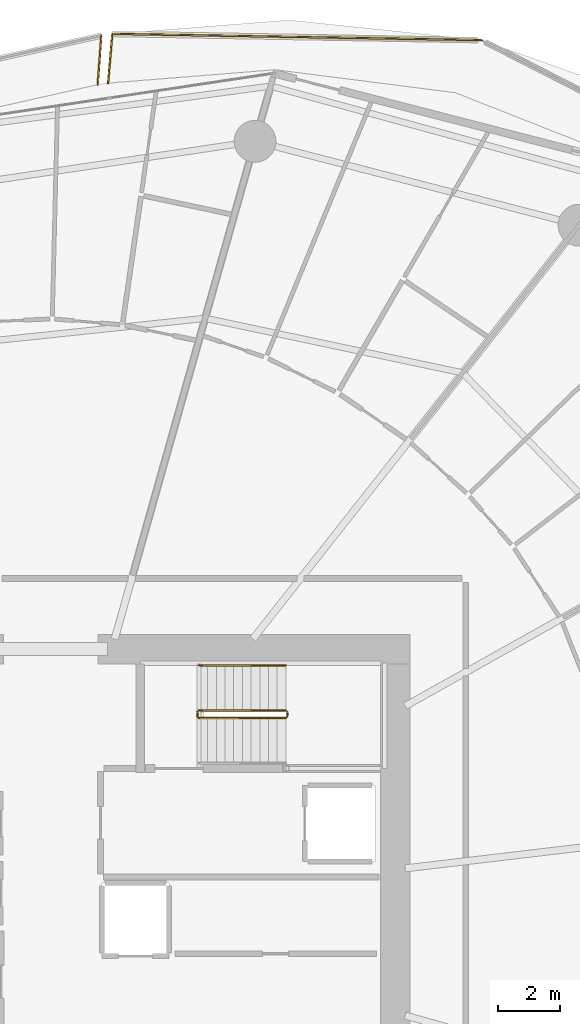
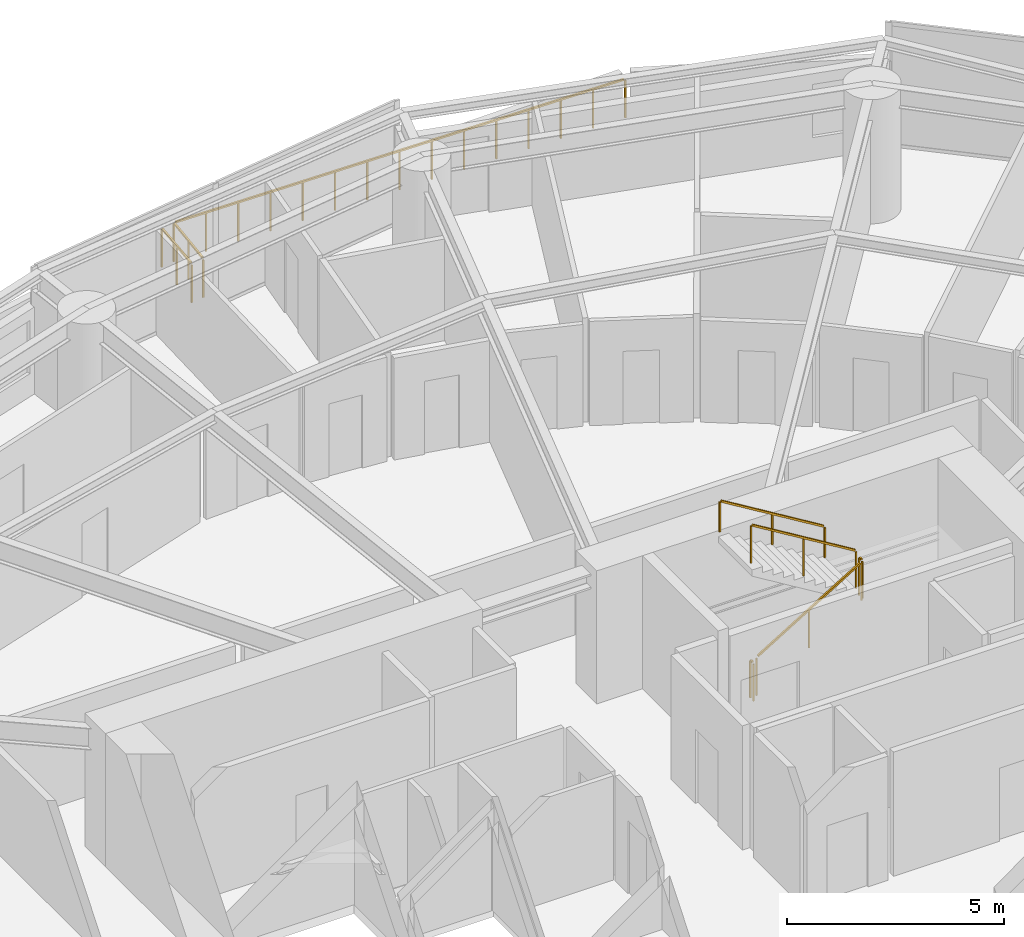
# One storey, part 30 of 31: 8 railings.
"""IFC4 building model written with IfcOpenShell, lengths in metres."""

from ifc_helpers import new_model, si_unit, direction, frame, origin, origin_2d, place, context, subcontext, project, spatial, rectangle, extrude, material, type_object, element, save


model = new_model("IFC4")

# Units and contexts
model_context = context("Model", 3, precision=1e-05, world=origin(), true_north=direction((0.0, 1.0)))
body_context = subcontext(model_context, "Body", "Model", "MODEL_VIEW")
ifc_project = project(units=[si_unit("LENGTHUNIT", "METRE"), si_unit("AREAUNIT", "SQUARE_METRE"), si_unit("VOLUMEUNIT", "CUBIC_METRE"), si_unit("PLANEANGLEUNIT", "RADIAN"), si_unit("MASSUNIT", "GRAM", prefix="KILO")], contexts=[model_context])

# Site, building, storey
site_placement = place(None, origin())
site = spatial("IfcSite", under=ifc_project, at=site_placement, CompositionType="ELEMENT")
building_placement = place(site_placement, origin())
building = spatial("IfcBuilding", under=site, at=building_placement, Name="Kazma Halo Residences", CompositionType="ELEMENT")
storey_placement = place(building_placement, frame((0.0, 0.0, 48.89990234375)))
storey = spatial("IfcBuildingStorey", under=building, at=storey_placement, Name="L11", CompositionType="ELEMENT", Elevation=48.89990234375)

# Railings
ifc_material_1 = material(Name="Aluminium AW-6063 T6 Brushed Cap Rail", Category="aluminium")
railing_type_1 = type_object("IfcRailingType", Name="RLG-BAL-CAP-1120", PredefinedType="BALUSTRADE", material=ifc_material_1)
railing_1_placement = place(storey_placement, frame((62.323974609375, 70.1123046875, 0.0)))
element("IfcRailing", 1, at=railing_1_placement, inside=storey, type_object=railing_type_1, Name="L11 NE wave balcony guard 3", PredefinedType="BALUSTRADE", context=body_context, shape_type="SweptSolid", body=[
    extrude(rectangle(XDim=0.050048828125, YDim=0.050048828125, at=origin_2d()), frame((-0.04248046875, 0.000732421875, 1.09521484375), z_axis=(-0.99985591733, 0.016974821943, 0.0), x_axis=(-0.016974821943, -0.99985591733, 0.0)), (0.0, 0.0, 1.0), 11.838134765625),
    extrude(rectangle(XDim=0.0400390625, YDim=0.0400390625, at=origin_2d()), origin(), (0.0, 0.0, 1.0), 1.05810546875),
    extrude(rectangle(XDim=0.0400390625, YDim=0.0400390625, at=origin_2d()), frame((-0.8515625, 0.014404296875, 0.0)), (0.0, 0.0, 1.0), 1.05810546875),
    extrude(rectangle(XDim=0.0400390625, YDim=0.0400390625, at=origin_2d()), frame((-1.703125, 0.02880859375, 0.0)), (0.0, 0.0, 1.0), 1.05810546875),
    extrude(rectangle(XDim=0.0400390625, YDim=0.0400390625, at=origin_2d()), frame((-2.5546875, 0.04345703125, 0.0)), (0.0, 0.0, 1.0), 1.05810546875),
    extrude(rectangle(XDim=0.0400390625, YDim=0.0400390625, at=origin_2d()), frame((-3.406005859375, 0.057861328125, 0.0)), (0.0, 0.0, 1.0), 1.05810546875),
    extrude(rectangle(XDim=0.0400390625, YDim=0.0400390625, at=origin_2d()), frame((-4.257568359375, 0.072265625, 0.0)), (0.0, 0.0, 1.0), 1.05810546875),
    extrude(rectangle(XDim=0.0400390625, YDim=0.0400390625, at=origin_2d()), frame((-5.109130859375, 0.086669921875, 0.0)), (0.0, 0.0, 1.0), 1.05810546875),
    extrude(rectangle(XDim=0.0400390625, YDim=0.0400390625, at=origin_2d()), frame((-5.960693359375, 0.10107421875, 0.0)), (0.0, 0.0, 1.0), 1.05810546875),
    extrude(rectangle(XDim=0.0400390625, YDim=0.0400390625, at=origin_2d()), frame((-6.812255859375, 0.11572265625, 0.0)), (0.0, 0.0, 1.0), 1.05810546875),
    extrude(rectangle(XDim=0.0400390625, YDim=0.0400390625, at=origin_2d()), frame((-7.663818359375, 0.130126953125, 0.0)), (0.0, 0.0, 1.0), 1.05810546875),
    extrude(rectangle(XDim=0.0400390625, YDim=0.0400390625, at=origin_2d()), frame((-8.515380859375, 0.14453125, 0.0)), (0.0, 0.0, 1.0), 1.05810546875),
    extrude(rectangle(XDim=0.0400390625, YDim=0.0400390625, at=origin_2d()), frame((-9.36669921875, 0.158935546875, 0.0)), (0.0, 0.0, 1.0), 1.05810546875),
    extrude(rectangle(XDim=0.0400390625, YDim=0.0400390625, at=origin_2d()), frame((-10.21826171875, 0.173583984375, 0.0)), (0.0, 0.0, 1.0), 1.05810546875),
    extrude(rectangle(XDim=0.0400390625, YDim=0.0400390625, at=origin_2d()), frame((-11.06982421875, 0.18798828125, 0.0)), (0.0, 0.0, 1.0), 1.05810546875),
    extrude(rectangle(XDim=0.0400390625, YDim=0.0400390625, at=origin_2d()), frame((-11.92138671875, 0.202392578125, 0.0)), (0.0, 0.0, 1.0), 1.05810546875),
])
railing_2_placement = place(storey_placement, frame((50.402587890625, 70.314697265625, 0.0)))
element("IfcRailing", 2, at=railing_2_placement, inside=storey, type_object=railing_type_1, Name="L11 NE wave balcony guard 4", PredefinedType="BALUSTRADE", context=body_context, shape_type="SweptSolid", body=[
    extrude(rectangle(XDim=0.050048828125, YDim=0.050048828125, at=origin_2d()), frame((-0.003662109375, -0.04248046875, 1.09521484375), z_axis=(-0.084569636757, -0.996417571372, 0.0), x_axis=(0.996417571372, -0.084569636757, 0.0)), (0.0, 0.0, 1.0), 1.505615234375),
    extrude(rectangle(XDim=0.0400390625, YDim=0.0400390625, at=origin_2d()), origin(), (0.0, 0.0, 1.0), 1.05810546875),
    extrude(rectangle(XDim=0.0400390625, YDim=0.0400390625, at=origin_2d()), frame((-0.0673828125, -0.79248046875, 0.0)), (0.0, 0.0, 1.0), 1.05810546875),
    extrude(rectangle(XDim=0.0400390625, YDim=0.0400390625, at=origin_2d()), frame((-0.134521484375, -1.5849609375, 0.0)), (0.0, 0.0, 1.0), 1.05810546875),
])
railing_3_placement = place(storey_placement, frame((49.935791015625, 68.679931640625, 0.0)))
element("IfcRailing", 3, at=railing_3_placement, inside=storey, type_object=railing_type_1, Name="L11 NNW wave balcony guard 1", PredefinedType="BALUSTRADE", context=body_context, shape_type="SweptSolid", body=[
    extrude(rectangle(XDim=0.050048828125, YDim=0.050048828125, at=origin_2d()), frame((0.003173828125, 0.04248046875, 1.09521484375), z_axis=(0.072363048519, 0.997378358101, 0.0), x_axis=(-0.997378358101, 0.072363048519, 0.0)), (0.0, 0.0, 1.0), 1.500732421875),
    extrude(rectangle(XDim=0.0400390625, YDim=0.0400390625, at=origin_2d()), origin(), (0.0, 0.0, 1.0), 1.05810546875),
    extrude(rectangle(XDim=0.0400390625, YDim=0.0400390625, at=origin_2d()), frame((0.057373046875, 0.790771484375, 0.0)), (0.0, 0.0, 1.0), 1.05810546875),
    extrude(rectangle(XDim=0.0400390625, YDim=0.0400390625, at=origin_2d()), frame((0.11474609375, 1.58154296875, 0.0)), (0.0, 0.0, 1.0), 1.05810546875),
])
ifc_material_2 = material(Name="Painted Steel S355", Category="steel")
railing_type_2 = type_object("IfcRailingType", Name="RLG-STAIR-GRD-1100", PredefinedType="GUARDRAIL", material=ifc_material_2)
railing_4_placement = place(storey_placement, frame((53.199951171875, 48.25, 0.170654296875)))
element("IfcRailing", 4, at=railing_4_placement, inside=storey, type_object=railing_type_2, Name="L11 ST-02 stair guard 1", PredefinedType="GUARDRAIL", context=body_context, shape_type="SweptSolid", body=[
    extrude(rectangle(XDim=0.050048828125, YDim=0.050048828125, at=origin_2d()), frame((0.036376953125, 0.0, 1.09716796875), z_axis=(0.854202870247, 0.0, 0.519939858505), x_axis=(0.0, 1.0, 0.0)), (0.0, 0.0, 1.0), 3.19287109375),
    extrude(rectangle(XDim=0.0400390625, YDim=0.0400390625, at=origin_2d()), origin(), (0.0, 0.0, 1.0), 1.0380859375),
    extrude(rectangle(XDim=0.0400390625, YDim=0.0400390625, at=origin_2d()), frame((1.39990234375, 0.0, 0.85205078125)), (0.0, 0.0, 1.0), 1.0380859375),
    extrude(rectangle(XDim=0.0400390625, YDim=0.0400390625, at=origin_2d()), frame((2.800048828125, 0.0, 1.704345703125)), (0.0, 0.0, 1.0), 1.0380859375),
])
railing_5_placement = place(storey_placement, frame((56.050048828125, 48.300048828125, 1.875)))
element("IfcRailing", 5, at=railing_5_placement, inside=storey, type_object=railing_type_2, Name="L11 ST-02 stair guard 2", PredefinedType="GUARDRAIL", context=body_context, shape_type="SweptSolid", body=[
    extrude(rectangle(XDim=0.050048828125, YDim=0.050048828125, at=origin_2d()), frame((0.0, 0.04248046875, 1.0751953125), z_axis=(0.0, 1.0, 0.0), x_axis=(-1.0, 0.0, 0.0)), (0.0, 0.0, 1.0), 0.06494140625),
    extrude(rectangle(XDim=0.0400390625, YDim=0.0400390625, at=origin_2d()), origin(), (0.0, 0.0, 1.0), 1.0380859375),
    extrude(rectangle(XDim=0.0400390625, YDim=0.0400390625, at=origin_2d()), frame((0.0, 0.14990234375, 0.0)), (0.0, 0.0, 1.0), 1.0380859375),
])
railing_6_placement = place(storey_placement, frame((56.0, 48.5, 2.045654296875)))
element("IfcRailing", 6, at=railing_6_placement, inside=storey, type_object=railing_type_2, Name="L11 ST-02 stair guard 3", PredefinedType="GUARDRAIL", context=body_context, shape_type="SweptSolid", body=[
    extrude(rectangle(XDim=0.050048828125, YDim=0.050048828125, at=origin_2d()), frame((-0.036376953125, 0.0, 1.09716796875), z_axis=(-0.854202870247, 0.0, 0.519939858505), x_axis=(0.0, -1.0, 0.0)), (0.0, 0.0, 1.0), 3.19287109375),
    extrude(rectangle(XDim=0.0400390625, YDim=0.0400390625, at=origin_2d()), origin(), (0.0, 0.0, 1.0), 1.0380859375),
    extrude(rectangle(XDim=0.0400390625, YDim=0.0400390625, at=origin_2d()), frame((-1.39990234375, 0.0, 0.85205078125)), (0.0, 0.0, 1.0), 1.0380859375),
    extrude(rectangle(XDim=0.0400390625, YDim=0.0400390625, at=origin_2d()), frame((-2.800048828125, 0.0, 1.704345703125)), (0.0, 0.0, 1.0), 1.0380859375),
])
railing_7_placement = place(storey_placement, frame((53.14990234375, 48.300048828125, 0.0)))
element("IfcRailing", 7, at=railing_7_placement, inside=storey, type_object=railing_type_2, Name="L11 ST-02 stair guard 4", PredefinedType="GUARDRAIL", context=body_context, shape_type="SweptSolid", body=[
    extrude(rectangle(XDim=0.050048828125, YDim=0.050048828125, at=origin_2d()), frame((0.0, 0.04248046875, 1.0751953125), z_axis=(0.0, 1.0, 0.0), x_axis=(-1.0, 0.0, 0.0)), (0.0, 0.0, 1.0), 0.06494140625),
    extrude(rectangle(XDim=0.0400390625, YDim=0.0400390625, at=origin_2d()), origin(), (0.0, 0.0, 1.0), 1.0380859375),
    extrude(rectangle(XDim=0.0400390625, YDim=0.0400390625, at=origin_2d()), frame((0.0, 0.14990234375, 0.0)), (0.0, 0.0, 1.0), 1.0380859375),
])
ifc_material_3 = material(Name="Brushed Stainless Steel", Category="steel")
railing_type_3 = type_object("IfcRailingType", Name="RLG-STAIR-HND-900", PredefinedType="HANDRAIL", material=ifc_material_3)
railing_8_placement = place(storey_placement, frame((56.0, 49.949951171875, 2.045654296875)))
element("IfcRailing", 8, at=railing_8_placement, inside=storey, type_object=railing_type_3, Name="L11 ST-02 stair handrail 2", PredefinedType="HANDRAIL", context=body_context, shape_type="SweptSolid", body=[
    extrude(rectangle(XDim=0.050048828125, YDim=0.050048828125, at=origin_2d()), frame((-0.036376953125, 0.0, 0.89697265625), z_axis=(-0.854202870247, 0.0, 0.519939858505), x_axis=(0.0, -1.0, 0.0)), (0.0, 0.0, 1.0), 3.19287109375),
    extrude(rectangle(XDim=0.0400390625, YDim=0.0400390625, at=origin_2d()), origin(), (0.0, 0.0, 1.0), 0.837890625),
    extrude(rectangle(XDim=0.0400390625, YDim=0.0400390625, at=origin_2d()), frame((-1.39990234375, 0.0, 0.85205078125)), (0.0, 0.0, 1.0), 0.837890625),
    extrude(rectangle(XDim=0.0400390625, YDim=0.0400390625, at=origin_2d()), frame((-2.800048828125, 0.0, 1.704345703125)), (0.0, 0.0, 1.0), 0.837890625),
])

save(model, "model.ifc")
